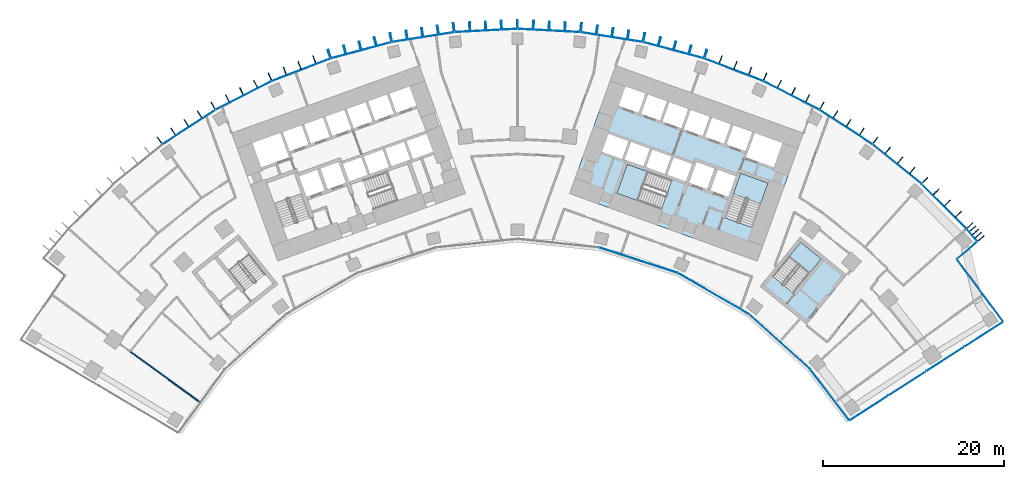
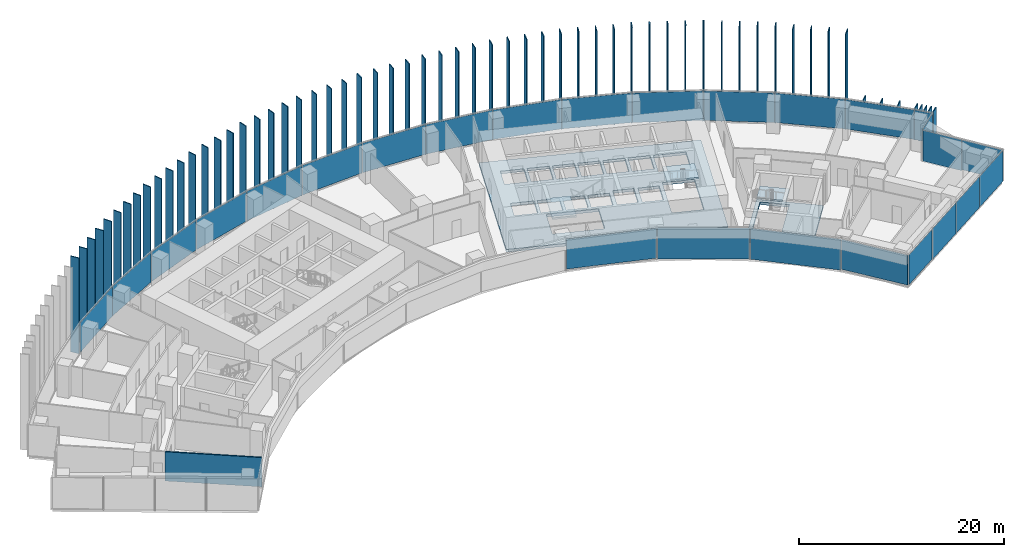
# One storey, part 17 of 25: 87 plates, 5 slabs, 1 wall, 8 elements without a shape of their own.
"""IFC4 building model written with IfcOpenShell, lengths in metres."""

from ifc_helpers import new_model, si_unit, direction, frame, frame_2d, origin, origin_2d, place, context, subcontext, project, spatial, polyline, rectangle, outline, extrude, material, layer, layer_set, type_object, element, aggregate, save


model = new_model("IFC4")

# Units and contexts
model_context = context("Model", 3, precision=1e-05, world=origin(), true_north=direction((0.0, 1.0)))
body_context = subcontext(model_context, "Body", "Model", "MODEL_VIEW")
ifc_project = project(units=[si_unit("LENGTHUNIT", "METRE"), si_unit("AREAUNIT", "SQUARE_METRE"), si_unit("VOLUMEUNIT", "CUBIC_METRE"), si_unit("PLANEANGLEUNIT", "RADIAN"), si_unit("MASSUNIT", "GRAM", prefix="KILO")], contexts=[model_context])

# Site, building, storey
site_placement = place(None, origin())
site = spatial("IfcSite", under=ifc_project, at=site_placement, CompositionType="ELEMENT")
building_placement = place(site_placement, origin())
building = spatial("IfcBuilding", under=site, at=building_placement, Name="Stone Belt Terrace Tower", CompositionType="ELEMENT")
storey_placement = place(building_placement, frame((0.0, 0.0, 52.800048828125)))
storey = spatial("IfcBuildingStorey", under=building, at=storey_placement, Name="L12", CompositionType="ELEMENT", Elevation=52.800048828125)

# Curtain wall, plates
ifc_material_1 = material(Name="Aluminium 6063-T6 anodised frame", Category="aluminium")
ifc_layer_1 = layer(ifc_material_1, 0.14990234375)
ifc_layer_set_1 = layer_set([ifc_layer_1], Name="CW-A unitised convex-face curtain wall")
curtain_wall_type_1 = type_object("IfcCurtainWallType", Name="CW-A unitised convex-face curtain wall", PredefinedType="NOTDEFINED", material=ifc_layer_set_1)
curtain_wall_1_placement = place(storey_placement, origin())
curtain_wall_1 = element("IfcCurtainWall", 1, at=curtain_wall_1_placement, inside=storey, type_object=curtain_wall_type_1, Name="CW-A convex face L12", PredefinedType="NOTDEFINED")
ifc_material_2 = material(Name="Clear double glazed unit")
ifc_layer_2 = layer(ifc_material_2, 0.031982421875)
ifc_layer_set_2 = layer_set([ifc_layer_2], Name="CW-A glass panel 32")
plate_type_1 = type_object("IfcPlateType", Name="CW-A glass panel 32", PredefinedType="CURTAIN_PANEL", material=ifc_layer_set_2)
plate_1_placement = place(storey_placement, frame((50.075439453125, 43.862060546875, 0.139892578125), z_axis=(0.0, 0.0, 1.0), x_axis=(-0.659073728338, 0.752078334095, 0.0)))
plate_1 = element("IfcPlate", 2, at=plate_1_placement, type_object=plate_type_1, Name="CW-A panel 1.1", PredefinedType="CURTAIN_PANEL", context=body_context, shape_type="SweptSolid", body=[
    extrude(rectangle(XDim=1.760498046875, YDim=0.031982421875, at=origin_2d()), origin(), (0.0, 0.0, 1.0), 3.52001953125),
])
plate_2_placement = place(storey_placement, frame((47.01123046875, 47.01123046875, 0.139892578125), z_axis=(0.0, 0.0, 1.0), x_axis=(-0.707106781187, 0.707106781187, 0.0)))
plate_2 = element("IfcPlate", 3, at=plate_2_placement, type_object=plate_type_1, Name="CW-A panel 2.1", PredefinedType="CURTAIN_PANEL", context=body_context, shape_type="SweptSolid", body=[
    extrude(rectangle(XDim=6.900634765625, YDim=0.031982421875, at=origin_2d()), origin(), (0.0, 0.0, 1.0), 3.52001953125),
])
plate_3_placement = place(storey_placement, frame((41.839599609375, 51.667724609375, 0.139892578125), z_axis=(0.0, 0.0, 1.0), x_axis=(-0.777145961457, 0.62932039105, 0.0)))
plate_3 = element("IfcPlate", 4, at=plate_3_placement, type_object=plate_type_1, Name="CW-A panel 3.1", PredefinedType="CURTAIN_PANEL", context=body_context, shape_type="SweptSolid", body=[
    extrude(rectangle(XDim=6.90087890625, YDim=0.031982421875, at=origin_2d()), origin(), (0.0, 0.0, 1.0), 3.52001953125),
])
plate_4_placement = place(storey_placement, frame((36.209716796875, 55.758056640625, 0.139892578125), z_axis=(0.0, 0.0, 1.0), x_axis=(-0.838670567945, 0.544639035015, 0.0)))
plate_4 = element("IfcPlate", 5, at=plate_4_placement, type_object=plate_type_1, Name="CW-A panel 4.1", PredefinedType="CURTAIN_PANEL", context=body_context, shape_type="SweptSolid", body=[
    extrude(rectangle(XDim=6.90087890625, YDim=0.031982421875, at=origin_2d()), origin(), (0.0, 0.0, 1.0), 3.52001953125),
])
plate_5_placement = place(storey_placement, frame((30.18310546875, 59.237548828125, 0.139892578125), z_axis=(0.0, 0.0, 1.0), x_axis=(-0.891006524188, 0.45399049974, 0.0)))
plate_5 = element("IfcPlate", 6, at=plate_5_placement, type_object=plate_type_1, Name="CW-A panel 5.1", PredefinedType="CURTAIN_PANEL", context=body_context, shape_type="SweptSolid", body=[
    extrude(rectangle(XDim=6.90087890625, YDim=0.031982421875, at=origin_2d()), origin(), (0.0, 0.0, 1.0), 3.52001953125),
])
plate_6_placement = place(storey_placement, frame((23.82568359375, 62.068115234375, 0.139892578125), z_axis=(0.0, 0.0, 1.0), x_axis=(-0.933580426497, 0.358367949545, 0.0)))
plate_6 = element("IfcPlate", 7, at=plate_6_placement, type_object=plate_type_1, Name="CW-A panel 6.1", PredefinedType="CURTAIN_PANEL", context=body_context, shape_type="SweptSolid", body=[
    extrude(rectangle(XDim=6.90087890625, YDim=0.031982421875, at=origin_2d()), origin(), (0.0, 0.0, 1.0), 3.52001953125),
])
plate_7_placement = place(storey_placement, frame((17.207275390625, 64.218505859375, 0.139892578125), z_axis=(0.0, 0.0, 1.0), x_axis=(-0.965925826289, 0.258819045103, 0.0)))
plate_7 = element("IfcPlate", 8, at=plate_7_placement, type_object=plate_type_1, Name="CW-A panel 7.1", PredefinedType="CURTAIN_PANEL", context=body_context, shape_type="SweptSolid", body=[
    extrude(rectangle(XDim=6.90087890625, YDim=0.031982421875, at=origin_2d()), origin(), (0.0, 0.0, 1.0), 3.52001953125),
])
plate_8_placement = place(storey_placement, frame((10.400390625, 65.665283203125, 0.139892578125), z_axis=(0.0, 0.0, 1.0), x_axis=(-0.987688340595, 0.15643446504, 0.0)))
plate_8 = element("IfcPlate", 9, at=plate_8_placement, type_object=plate_type_1, Name="CW-A panel 8.1", PredefinedType="CURTAIN_PANEL", context=body_context, shape_type="SweptSolid", body=[
    extrude(rectangle(XDim=6.90087890625, YDim=0.031982421875, at=origin_2d()), origin(), (0.0, 0.0, 1.0), 3.52001953125),
])
plate_9_placement = place(storey_placement, frame((3.4794921875, 66.392822265625, 0.139892578125), z_axis=(0.0, 0.0, 1.0), x_axis=(-0.998629534755, 0.052335956243, 0.0)))
plate_9 = element("IfcPlate", 10, at=plate_9_placement, type_object=plate_type_1, Name="CW-A panel 9.1", PredefinedType="CURTAIN_PANEL", context=body_context, shape_type="SweptSolid", body=[
    extrude(rectangle(XDim=6.90087890625, YDim=0.031982421875, at=origin_2d()), origin(), (0.0, 0.0, 1.0), 3.52001953125),
])
plate_10_placement = place(storey_placement, frame((-3.4794921875, 66.392822265625, 0.139892578125), z_axis=(0.0, 0.0, 1.0), x_axis=(-0.998629534755, -0.052335956243, 0.0)))
plate_10 = element("IfcPlate", 11, at=plate_10_placement, type_object=plate_type_1, Name="CW-A panel 10.1", PredefinedType="CURTAIN_PANEL", context=body_context, shape_type="SweptSolid", body=[
    extrude(rectangle(XDim=6.90087890625, YDim=0.031982421875, at=origin_2d()), origin(), (0.0, 0.0, 1.0), 3.52001953125),
])
plate_11_placement = place(storey_placement, frame((-10.400390625, 65.665283203125, 0.139892578125), z_axis=(0.0, 0.0, 1.0), x_axis=(-0.987688340595, -0.15643446504, 0.0)))
plate_11 = element("IfcPlate", 12, at=plate_11_placement, type_object=plate_type_1, Name="CW-A panel 11.1", PredefinedType="CURTAIN_PANEL", context=body_context, shape_type="SweptSolid", body=[
    extrude(rectangle(XDim=6.90087890625, YDim=0.031982421875, at=origin_2d()), origin(), (0.0, 0.0, 1.0), 3.52001953125),
])
plate_12_placement = place(storey_placement, frame((-17.207275390625, 64.218505859375, 0.139892578125), z_axis=(0.0, 0.0, 1.0), x_axis=(-0.965925826289, -0.258819045103, 0.0)))
plate_12 = element("IfcPlate", 13, at=plate_12_placement, type_object=plate_type_1, Name="CW-A panel 12.1", PredefinedType="CURTAIN_PANEL", context=body_context, shape_type="SweptSolid", body=[
    extrude(rectangle(XDim=6.90087890625, YDim=0.031982421875, at=origin_2d()), origin(), (0.0, 0.0, 1.0), 3.52001953125),
])
plate_13_placement = place(storey_placement, frame((-23.82568359375, 62.068115234375, 0.139892578125), z_axis=(0.0, 0.0, 1.0), x_axis=(-0.933580426497, -0.358367949545, 0.0)))
plate_13 = element("IfcPlate", 14, at=plate_13_placement, type_object=plate_type_1, Name="CW-A panel 13.1", PredefinedType="CURTAIN_PANEL", context=body_context, shape_type="SweptSolid", body=[
    extrude(rectangle(XDim=6.90087890625, YDim=0.031982421875, at=origin_2d()), origin(), (0.0, 0.0, 1.0), 3.52001953125),
])
plate_14_placement = place(storey_placement, frame((-30.18310546875, 59.237548828125, 0.139892578125), z_axis=(0.0, 0.0, 1.0), x_axis=(-0.891006524188, -0.45399049974, 0.0)))
plate_14 = element("IfcPlate", 15, at=plate_14_placement, type_object=plate_type_1, Name="CW-A panel 14.1", PredefinedType="CURTAIN_PANEL", context=body_context, shape_type="SweptSolid", body=[
    extrude(rectangle(XDim=6.90087890625, YDim=0.031982421875, at=origin_2d()), origin(), (0.0, 0.0, 1.0), 3.52001953125),
])
plate_15_placement = place(storey_placement, frame((-36.209716796875, 55.758056640625, 0.139892578125), z_axis=(0.0, 0.0, 1.0), x_axis=(-0.838670567945, -0.544639035015, 0.0)))
plate_15 = element("IfcPlate", 16, at=plate_15_placement, type_object=plate_type_1, Name="CW-A panel 15.1", PredefinedType="CURTAIN_PANEL", context=body_context, shape_type="SweptSolid", body=[
    extrude(rectangle(XDim=6.90087890625, YDim=0.031982421875, at=origin_2d()), origin(), (0.0, 0.0, 1.0), 3.52001953125),
])
aggregate(curtain_wall_1, [plate_1, plate_2, plate_3, plate_4, plate_5, plate_6, plate_7, plate_8, plate_9, plate_10, plate_11, plate_12, plate_13, plate_14, plate_15])

ifc_layer_3 = layer(ifc_material_1, 0.14990234375)
ifc_layer_set_3 = layer_set([ifc_layer_3], Name="CW-B unitised concave-face curtain wall")
curtain_wall_type_2 = type_object("IfcCurtainWallType", Name="CW-B unitised concave-face curtain wall", PredefinedType="NOTDEFINED", material=ifc_layer_set_3)
curtain_wall_2_placement = place(storey_placement, origin())
curtain_wall_2 = element("IfcCurtainWall", 17, at=curtain_wall_2_placement, inside=storey, type_object=curtain_wall_type_2, Name="CW-B concave face L12", PredefinedType="NOTDEFINED")
ifc_layer_4 = layer(ifc_material_2, 0.030029296875)
ifc_layer_set_4 = layer_set([ifc_layer_4], Name="CW-B glass panel 30")
plate_type_2 = type_object("IfcPlateType", Name="CW-B glass panel 30", PredefinedType="CURTAIN_PANEL", material=ifc_layer_set_4)
plate_16_placement = place(storey_placement, frame((13.345458984375, 41.072998046875, 0.119873046875), z_axis=(0.0, 0.0, 1.0), x_axis=(0.951056516295, -0.309016994375, 0.0)))
plate_16 = element("IfcPlate", 18, at=plate_16_placement, type_object=plate_type_2, Name="CW-B panel 7.1", PredefinedType="CURTAIN_PANEL", context=body_context, shape_type="SweptSolid", body=[
    extrude(rectangle(XDim=9.0126953125, YDim=0.030029296875, at=origin_2d()), origin(), (0.0, 0.0, 1.0), 3.56005859375),
])
plate_17_placement = place(storey_placement, frame((21.59326171875, 37.40087890625, 0.0), z_axis=(0.0, 0.0, 1.0), x_axis=(0.866025403784, -0.5, 0.0)))
plate_17 = element("IfcPlate", 19, at=plate_17_placement, type_object=plate_type_2, Name="CW-B panel 8.1", PredefinedType="CURTAIN_PANEL", context=body_context, shape_type="SweptSolid", body=[
    extrude(rectangle(XDim=9.0126953125, YDim=0.030029296875, at=origin_2d()), origin(), (0.0, 0.0, 1.0), 3.679931640625),
])
plate_18_placement = place(storey_placement, frame((28.898193359375, 32.093505859375, 0.0), z_axis=(0.0, 0.0, 1.0), x_axis=(0.743144825477, -0.669130606359, 0.0)))
plate_18 = element("IfcPlate", 20, at=plate_18_placement, type_object=plate_type_2, Name="CW-B panel 9.1", PredefinedType="CURTAIN_PANEL", context=body_context, shape_type="SweptSolid", body=[
    extrude(rectangle(XDim=9.0146484375, YDim=0.030029296875, at=origin_2d()), origin(), (0.0, 0.0, 1.0), 3.679931640625),
])
plate_19_placement = place(storey_placement, frame((34.41748046875, 26.244140625, 0.119873046875), z_axis=(0.0, 0.0, 1.0), x_axis=(0.606711628938, -0.79492200832, 0.0)))
plate_19 = element("IfcPlate", 21, at=plate_19_placement, type_object=plate_type_2, Name="CW-B panel 10.1", PredefinedType="CURTAIN_PANEL", context=body_context, shape_type="SweptSolid", body=[
    extrude(rectangle(XDim=7.010986328125, YDim=0.030029296875, at=origin_2d()), origin(), (0.0, 0.0, 1.0), 3.56005859375),
])
aggregate(curtain_wall_2, [plate_16, plate_17, plate_18, plate_19])

ifc_layer_5 = layer(ifc_material_1, 0.14990234375)
ifc_layer_set_5 = layer_set([ifc_layer_5], Name="CW-C stick curtain wall, horn ends and notches")
curtain_wall_type_3 = type_object("IfcCurtainWallType", Name="CW-C stick curtain wall, horn ends and notches", PredefinedType="NOTDEFINED", material=ifc_layer_set_5)
curtain_wall_3_placement = place(storey_placement, origin())
curtain_wall_3 = element("IfcCurtainWall", 22, at=curtain_wall_3_placement, inside=storey, type_object=curtain_wall_type_3, Name="CW-C end face L12", PredefinedType="NOTDEFINED")
ifc_layer_6 = layer(ifc_material_2, 0.028076171875)
ifc_layer_set_6 = layer_set([ifc_layer_6], Name="CW-C glass panel 28")
plate_type_3 = type_object("IfcPlateType", Name="CW-C glass panel 28", PredefinedType="CURTAIN_PANEL", material=ifc_layer_set_6)
plate_20_placement = place(storey_placement, frame((38.737060546875, 24.78369140625, 0.119873046875), z_axis=(0.0, 0.0, 1.0), x_axis=(0.841470984807, 0.540302305869, 0.0)))
plate_20 = element("IfcPlate", 23, at=plate_20_placement, type_object=plate_type_3, Name="CW-C panel 1.1", PredefinedType="CURTAIN_PANEL", context=body_context, shape_type="SweptSolid", body=[
    extrude(rectangle(XDim=4.96630859375, YDim=0.028076171875, at=origin_2d()), origin(), (0.0, 0.0, 1.0), 3.56005859375),
])
plate_21_placement = place(storey_placement, frame((42.95556640625, 27.4921875, 0.0), z_axis=(0.0, 0.0, 1.0), x_axis=(0.841470984807, 0.540302305869, 0.0)))
plate_21 = element("IfcPlate", 24, at=plate_21_placement, type_object=plate_type_3, Name="CW-C panel 2.1", PredefinedType="CURTAIN_PANEL", context=body_context, shape_type="SweptSolid", body=[
    extrude(rectangle(XDim=4.93994140625, YDim=0.028076171875, at=origin_2d()), origin(), (0.0, 0.0, 1.0), 3.679931640625),
])
plate_22_placement = place(storey_placement, frame((47.162841796875, 30.19384765625, 0.0), z_axis=(0.0, 0.0, 1.0), x_axis=(0.841470984807, 0.540302305869, 0.0)))
plate_22 = element("IfcPlate", 25, at=plate_22_placement, type_object=plate_type_3, Name="CW-C panel 3.1", PredefinedType="CURTAIN_PANEL", context=body_context, shape_type="SweptSolid", body=[
    extrude(rectangle(XDim=4.93994140625, YDim=0.028076171875, at=origin_2d()), origin(), (0.0, 0.0, 1.0), 3.679931640625),
])
plate_23_placement = place(storey_placement, frame((51.385009765625, 32.90478515625, 0.0), z_axis=(0.0, 0.0, 1.0), x_axis=(0.841470984807, 0.540302305869, 0.0)))
plate_23 = element("IfcPlate", 26, at=plate_23_placement, type_object=plate_type_3, Name="CW-C panel 4.1", PredefinedType="CURTAIN_PANEL", context=body_context, shape_type="SweptSolid", body=[
    extrude(rectangle(XDim=4.974853515625, YDim=0.028076171875, at=origin_2d()), origin(), (0.0, 0.0, 1.0), 3.679931640625),
])
aggregate(curtain_wall_3, [plate_20, plate_21, plate_22, plate_23])

curtain_wall_4_placement = place(storey_placement, origin())
curtain_wall_4 = element("IfcCurtainWall", 27, at=curtain_wall_4_placement, inside=storey, type_object=curtain_wall_type_3, Name="CW-C notch face L12", PredefinedType="NOTDEFINED")
plate_24_placement = place(storey_placement, frame((52.224609375, 36.063720703125, 0.119873046875), z_axis=(0.0, 0.0, 1.0), x_axis=(-0.59596392258, 0.803011209749, 0.0)))
plate_24 = element("IfcPlate", 28, at=plate_24_placement, type_object=plate_type_3, Name="CW-C panel 1.1", PredefinedType="CURTAIN_PANEL", context=body_context, shape_type="SweptSolid", body=[
    extrude(rectangle(XDim=4.268798828125, YDim=0.028076171875, at=origin_2d()), origin(), (0.0, 0.0, 1.0), 3.56005859375),
])
plate_25_placement = place(storey_placement, frame((49.68896484375, 39.480224609375, 0.0), z_axis=(0.0, 0.0, 1.0), x_axis=(-0.59596392258, 0.803011209749, 0.0)))
plate_25 = element("IfcPlate", 29, at=plate_25_placement, type_object=plate_type_3, Name="CW-C panel 2.1", PredefinedType="CURTAIN_PANEL", context=body_context, shape_type="SweptSolid", body=[
    extrude(rectangle(XDim=4.12060546875, YDim=0.028076171875, at=origin_2d()), origin(), (0.0, 0.0, 1.0), 3.679931640625),
])
aggregate(curtain_wall_4, [plate_24, plate_25])

# Curtain wall, plate
curtain_wall_5_placement = place(storey_placement, origin())
curtain_wall_5 = element("IfcCurtainWall", 30, at=curtain_wall_5_placement, inside=storey, type_object=curtain_wall_type_3, Name="CW-C notch face L12", PredefinedType="NOTDEFINED")
plate_26_placement = place(storey_placement, frame((49.560546875, 42.168212890625, 0.119873046875), z_axis=(0.0, 0.0, 1.0), x_axis=(0.760875755373, 0.648897591986, 0.0)))
plate_26 = element("IfcPlate", 31, at=plate_26_placement, type_object=plate_type_3, Name="CW-C panel 1.1", PredefinedType="CURTAIN_PANEL", context=body_context, shape_type="SweptSolid", body=[
    extrude(rectangle(XDim=2.8583984375, YDim=0.028076171875, at=origin_2d()), origin(), (0.0, 0.0, 1.0), 3.56005859375),
])
aggregate(curtain_wall_5, [plate_26])

# Slabs
ifc_material_3 = material(Name="Concrete B40", Category="concrete")
ifc_layer_7 = layer(ifc_material_3, 0.320068359375)
ifc_layer_set_7 = layer_set([ifc_layer_7], Name="Core floor slab 320")
slab_type_1 = type_object("IfcSlabType", Name="Core floor slab 320", PredefinedType="FLOOR", material=ifc_layer_set_7)
slab_1_placement = place(storey_placement, frame((0.0, 0.0, -0.320068359375)))
element("IfcSlab", 32, at=slab_1_placement, inside=storey, type_object=slab_type_1, Name="Core B floor L12", PredefinedType="FLOOR", context=body_context, shape_type="SweptSolid", body=[
    extrude(outline(polyline([(26.43505859375, 40.968994140625), (31.513916015625, 55.0830078125), (10.81396484375, 62.531982421875), (5.735107421875, 48.4189453125), (26.43505859375, 40.968994140625)]), holes=[polyline([(12.10595703125, 51.652099609375), (16.998046875, 49.89208984375), (15.846923828125, 46.69189453125), (10.955078125, 48.452880859375), (12.10595703125, 51.652099609375)]), polyline([(19.239990234375, 51.68896484375), (18.5458984375, 49.760009765625), (16.52294921875, 50.488037109375), (17.217041015625, 52.4169921875), (19.239990234375, 51.68896484375)]), polyline([(16.239990234375, 50.589111328125), (14.169921875, 51.333984375), (14.864013671875, 53.262939453125), (16.93408203125, 52.51806640625), (16.239990234375, 50.589111328125)]), polyline([(14.58203125, 53.364990234375), (13.887939453125, 51.43603515625), (11.864990234375, 52.1640625), (11.847900390625, 52.116943359375), (11.801025390625, 52.134033203125), (12.511962890625, 54.110107421875), (14.58203125, 53.364990234375)]), polyline([(9.30810546875, 53.031005859375), (10.01904296875, 55.007080078125), (12.22998046875, 54.2109375), (11.51904296875, 52.235107421875), (9.30810546875, 53.031005859375)]), polyline([(16.743896484375, 58.485107421875), (18.81396484375, 57.739990234375), (18.052001953125, 55.623046875), (15.98193359375, 56.367919921875), (16.743896484375, 58.485107421875)]), polyline([(14.39111328125, 59.33203125), (16.4609375, 58.5869140625), (15.699951171875, 56.469970703125), (13.6298828125, 57.215087890625), (14.39111328125, 59.33203125)]), polyline([(11.89794921875, 60.22900390625), (14.10888671875, 59.43408203125), (13.346923828125, 57.31591796875), (11.135986328125, 58.112060546875), (11.89794921875, 60.22900390625)]), polyline([(25.85888671875, 44.68408203125), (22.847900390625, 45.76806640625), (24.60791015625, 50.659912109375), (27.618896484375, 49.575927734375), (25.85888671875, 44.68408203125)]), polyline([(21.27392578125, 48.778076171875), (22.0869140625, 51.035888671875), (24.06298828125, 50.324951171875), (23.25, 48.06689453125), (21.27392578125, 48.778076171875)]), polyline([(18.922119140625, 49.6240234375), (19.735107421875, 51.883056640625), (21.7109375, 51.1708984375), (20.89794921875, 48.9130859375), (18.922119140625, 49.6240234375)]), polyline([(29.2109375, 53.9990234375), (28.24609375, 51.31689453125), (25.18798828125, 52.41796875), (26.153076171875, 55.09912109375), (29.2109375, 53.9990234375)]), polyline([(23.801025390625, 55.946044921875), (25.87109375, 55.200927734375), (25.10888671875, 53.083984375), (23.0390625, 53.8291015625), (23.801025390625, 55.946044921875)]), polyline([(21.447998046875, 56.7919921875), (23.51806640625, 56.047119140625), (22.756103515625, 53.929931640625), (20.68603515625, 54.675048828125), (21.447998046875, 56.7919921875)]), polyline([(19.095947265625, 57.638916015625), (21.166015625, 56.89404296875), (20.404052734375, 54.777099609375), (18.333984375, 55.52197265625), (19.095947265625, 57.638916015625)])]), origin(), (0.0, 0.0, 1.0), 0.320068359375),
])
slab_2_placement = place(storey_placement, frame((0.0, 0.0, -0.320068359375)))
element("IfcSlab", 33, at=slab_2_placement, inside=storey, type_object=slab_type_1, Name="Exit stair ST3B floor L12", PredefinedType="FLOOR", context=body_context, shape_type="SweptSolid", body=[
    extrude(outline(polyline([(26.741943359375, 38.18408203125), (31.866943359375, 34.02392578125), (36.278076171875, 39.458984375), (31.154052734375, 43.618896484375), (26.741943359375, 38.18408203125)]), holes=[polyline([(30.407958984375, 37.462890625), (28.156005859375, 39.291015625), (31.2119140625, 43.055908203125), (33.464111328125, 41.22802734375), (30.407958984375, 37.462890625)])]), origin(), (0.0, 0.0, 1.0), 0.320068359375),
])

# Stair, slab
stair_type = type_object("IfcStairType", Name="Exit stair 1500", PredefinedType="HALF_TURN_STAIR", material=ifc_material_3)
stair_1_placement = place(storey_placement, origin())
stair_1 = element("IfcStair", 34, at=stair_1_placement, inside=storey, type_object=stair_type, Name="L12 Exit stair 1 core B", PredefinedType="HALF_TURN_STAIR")
ifc_layer_8 = layer(ifc_material_3, 0.199951171875)
ifc_layer_set_8 = layer_set([ifc_layer_8], Name="Stair landing 200")
slab_type_2 = type_object("IfcSlabType", Name="Stair landing 200", PredefinedType="LANDING", material=ifc_layer_set_8)
slab_3_placement = place(storey_placement, frame((0.0, 0.0, 1.699951171875)))
slab_3 = element("IfcSlab", 35, at=slab_3_placement, type_object=slab_type_2, Name="ST1B landing 1", PredefinedType="LANDING", context=body_context, shape_type="SweptSolid", body=[
    extrude(outline(polyline([(26.806396484375, 47.3173828125), (27.619384765625, 49.576171875), (24.6083984375, 50.659912109375), (23.79541015625, 48.40087890625), (26.806396484375, 47.3173828125)])), origin(), (0.0, 0.0, 1.0), 0.199951171875),
])
aggregate(stair_1, [slab_3])

stair_2_placement = place(storey_placement, origin())
stair_2 = element("IfcStair", 36, at=stair_2_placement, inside=storey, type_object=stair_type, Name="L12 Exit stair 2 core B", PredefinedType="HALF_TURN_STAIR")
slab_4_placement = place(storey_placement, frame((0.0, 0.0, 1.699951171875)))
slab_4 = element("IfcSlab", 37, at=slab_4_placement, type_object=slab_type_2, Name="ST2B landing 1", PredefinedType="LANDING", context=body_context, shape_type="SweptSolid", body=[
    extrude(outline(polyline([(14.36474609375, 50.839111328125), (12.10595703125, 51.652099609375), (10.95458984375, 48.453125), (13.213623046875, 47.64013671875), (14.36474609375, 50.839111328125)])), origin(), (0.0, 0.0, 1.0), 0.199951171875),
])
aggregate(stair_2, [slab_4])

stair_3_placement = place(storey_placement, origin())
stair_3 = element("IfcStair", 38, at=stair_3_placement, inside=storey, type_object=stair_type, Name="L12 Exit stair 3B", PredefinedType="HALF_TURN_STAIR")
slab_5_placement = place(storey_placement, frame((0.0, 0.0, 1.699951171875)))
slab_5 = element("IfcSlab", 39, at=slab_5_placement, type_object=slab_type_2, Name="ST3B landing 1", PredefinedType="LANDING", context=body_context, shape_type="SweptSolid", body=[
    extrude(outline(polyline([(32.17138671875, 39.635986328125), (33.4638671875, 41.228271484375), (31.21240234375, 43.055908203125), (29.919921875, 41.463623046875), (32.17138671875, 39.635986328125)])), origin(), (0.0, 0.0, 1.0), 0.199951171875),
])
aggregate(stair_3, [slab_5])

# Plates
ifc_material_4 = material(Name="Terracotta coloured glazed ceramic", Category="masonry")
ifc_layer_9 = layer(ifc_material_4, 0.10009765625)
ifc_layer_set_9 = layer_set([ifc_layer_9], Name="Terracotta fin 100 x 900")
plate_type_4 = type_object("IfcPlateType", Name="Terracotta fin 100 x 900", PredefinedType="SHEET", material=ifc_layer_set_9)
for number, where, z_axis, x_axis, name in (
    (40, (51.099609375, 43.489990234375, 0.0), (0.0, 0.0, 1.0), (0.752078334095, 0.659073728338, 0.0), "FIN L12 1.1"),
    (41, (50.7919921875, 43.841064453125, 0.0), (0.0, 0.0, 1.0), (0.752078334095, 0.659073728338, 0.0), "FIN L12 1.2"),
    (42, (50.484130859375, 44.192138671875, 0.0), (0.0, 0.0, 1.0), (0.752078334095, 0.659073728338, 0.0), "FIN L12 1.3"),
    (43, (50.176513671875, 44.54345703125, 0.0), (0.0, 0.0, 1.0), (0.752078334095, 0.659073728338, 0.0), "FIN L12 1.4"),
    (44, (49.857177734375, 44.9072265625, 0.0), (0.0, 0.0, 1.0), (0.729987735312, 0.683460244853, 0.0), "FIN L12 2.1"),
    (45, (48.613525390625, 46.1513671875, 0.0), (0.0, 0.0, 1.0), (0.707106781187, 0.707106781187, 0.0), "FIN L12 2.2"),
    (46, (47.3818359375, 47.383056640625, 0.0), (0.0, 0.0, 1.0), (0.707106781187, 0.707106781187, 0.0), "FIN L12 2.3"),
    (47, (46.150390625, 48.614501953125, 0.0), (0.0, 0.0, 1.0), (0.707106781187, 0.707106781187, 0.0), "FIN L12 2.4"),
):
    element("IfcPlate", number, at=place(storey_placement, frame(where, z_axis=z_axis, x_axis=x_axis)), inside=storey, type_object=plate_type_4, Name=name, PredefinedType="SHEET", context=body_context, shape_type="SweptSolid", body=[
        extrude(rectangle(XDim=0.89990234375, YDim=0.10009765625, at=origin_2d()), origin(), (0.0, 0.0, 1.0), 3.800048828125),
    ])
for number, where, z_axis, x_axis, name in (
    (48, (44.898681640625, 49.864990234375, 0.0), (0.0, 0.0, 1.0), (0.669130606359, 0.743144825477, 0.0), "FIN L12 3.1"),
    (49, (43.52392578125, 50.979248046875, 0.0), (0.0, 0.0, 1.0), (0.62932039105, 0.777145961457, 0.0), "FIN L12 3.2"),
    (50, (42.170166015625, 52.07568359375, 0.0), (0.0, 0.0, 1.0), (0.62932039105, 0.777145961457, 0.0), "FIN L12 3.3"),
    (51, (40.816162109375, 53.172119140625, 0.0), (0.0, 0.0, 1.0), (0.62932039105, 0.777145961457, 0.0), "FIN L12 3.4"),
    (52, (39.4404296875, 54.28515625, 0.0), (0.0, 0.0, 1.0), (0.587785252292, 0.809016994375, 0.0), "FIN L12 4.1"),
    (53, (37.956787109375, 55.24951171875, 0.0), (0.0, 0.0, 1.0), (0.544639035015, 0.838670567945, 0.0), "FIN L12 4.2"),
    (54, (36.49560546875, 56.1982421875, 0.0), (0.0, 0.0, 1.0), (0.544639035015, 0.838670567945, 0.0), "FIN L12 4.3"),
    (55, (35.03466796875, 57.147216796875, 0.0), (0.0, 0.0, 1.0), (0.544639035015, 0.838670567945, 0.0), "FIN L12 4.4"),
    (56, (33.550048828125, 58.1103515625, 0.0), (0.0, 0.0, 1.0), (0.5, 0.866025403784, 0.0), "FIN L12 5.1"),
    (57, (31.9736328125, 58.914306640625, 0.0), (0.0, 0.0, 1.0), (0.45399049974, 0.891006524188, 0.0), "FIN L12 5.2"),
    (58, (30.42138671875, 59.705322265625, 0.0), (0.0, 0.0, 1.0), (0.45399049974, 0.891006524188, 0.0), "FIN L12 5.3"),
    (59, (28.869140625, 60.496337890625, 0.0), (0.0, 0.0, 1.0), (0.45399049974, 0.891006524188, 0.0), "FIN L12 5.4"),
    (60, (27.2919921875, 61.299072265625, 0.0), (0.0, 0.0, 1.0), (0.406736643076, 0.913545457643, 0.0), "FIN L12 6.1"),
    (61, (25.64013671875, 61.933837890625, 0.0), (0.0, 0.0, 1.0), (0.358367949545, 0.933580426497, 0.0), "FIN L12 6.2"),
    (62, (24.013916015625, 62.55810546875, 0.0), (0.0, 0.0, 1.0), (0.358367949545, 0.933580426497, 0.0), "FIN L12 6.3"),
    (63, (22.387451171875, 63.182373046875, 0.0), (0.0, 0.0, 1.0), (0.358367949545, 0.933580426497, 0.0), "FIN L12 6.4"),
    (64, (20.735107421875, 63.81591796875, 0.0), (0.0, 0.0, 1.0), (0.309016994375, 0.951056516295, 0.0), "FIN L12 7.1"),
    (65, (19.02587890625, 64.274658203125, 0.0), (0.0, 0.0, 1.0), (0.258819045103, 0.965925826289, 0.0), "FIN L12 7.2"),
    (66, (17.34326171875, 64.7255859375, 0.0), (0.0, 0.0, 1.0), (0.258819045103, 0.965925826289, 0.0), "FIN L12 7.3"),
    (67, (15.660400390625, 65.176513671875, 0.0), (0.0, 0.0, 1.0), (0.258819045103, 0.965925826289, 0.0), "FIN L12 7.4"),
    (68, (13.950927734375, 65.6337890625, 0.0), (0.0, 0.0, 1.0), (0.207911690818, 0.978147600734, 0.0), "FIN L12 8.1"),
    (69, (12.203125, 65.911376953125, 0.0), (0.0, 0.0, 1.0), (0.15643446504, 0.987688340595, 0.0), "FIN L12 8.2"),
    (70, (10.482421875, 66.183837890625, 0.0), (0.0, 0.0, 1.0), (0.15643446504, 0.987688340595, 0.0), "FIN L12 8.3"),
    (71, (8.76171875, 66.456298828125, 0.0), (0.0, 0.0, 1.0), (0.15643446504, 0.987688340595, 0.0), "FIN L12 8.4"),
    (72, (7.013916015625, 66.732421875, 0.0), (0.0, 0.0, 1.0), (0.104528463268, 0.994521895368, 0.0), "FIN L12 9.1"),
    (73, (5.246826171875, 66.825927734375, 0.0), (0.0, 0.0, 1.0), (0.052335956243, 0.998629534755, 0.0), "FIN L12 9.2"),
    (74, (3.507080078125, 66.9169921875, 0.0), (0.0, 0.0, 1.0), (0.052335956243, 0.998629534755, 0.0), "FIN L12 9.3"),
    (75, (1.767333984375, 67.00830078125, 0.0), (0.0, 0.0, 1.0), (0.052335956243, 0.998629534755, 0.0), "FIN L12 9.4"),
    (76, (0.0, 67.10009765625, 0.0), (0.0, 0.0, 1.0), (0.0, 1.0, 0.0), "FIN L12 10.1"),
    (77, (-1.767333984375, 67.00830078125, 0.0), (0.0, 0.0, 1.0), (-0.052335956243, 0.998629534755, 0.0), "FIN L12 10.2"),
    (78, (-3.507080078125, 66.9169921875, 0.0), (0.0, 0.0, 1.0), (-0.052335956243, 0.998629534755, 0.0), "FIN L12 10.3"),
    (79, (-5.246826171875, 66.825927734375, 0.0), (0.0, 0.0, 1.0), (-0.052335956243, 0.998629534755, 0.0), "FIN L12 10.4"),
    (80, (-7.013916015625, 66.732421875, 0.0), (0.0, 0.0, 1.0), (-0.104528463268, 0.994521895368, 0.0), "FIN L12 11.1"),
    (81, (-8.76171875, 66.456298828125, 0.0), (0.0, 0.0, 1.0), (-0.15643446504, 0.987688340595, 0.0), "FIN L12 11.2"),
    (82, (-10.482421875, 66.183837890625, 0.0), (0.0, 0.0, 1.0), (-0.15643446504, 0.987688340595, 0.0), "FIN L12 11.3"),
    (83, (-12.203125, 65.911376953125, 0.0), (0.0, 0.0, 1.0), (-0.15643446504, 0.987688340595, 0.0), "FIN L12 11.4"),
    (84, (-13.950927734375, 65.6337890625, 0.0), (0.0, 0.0, 1.0), (-0.207911690818, 0.978147600734, 0.0), "FIN L12 12.1"),
    (85, (-15.660400390625, 65.176513671875, 0.0), (0.0, 0.0, 1.0), (-0.258819045103, 0.965925826289, 0.0), "FIN L12 12.2"),
    (86, (-17.34326171875, 64.7255859375, 0.0), (0.0, 0.0, 1.0), (-0.258819045103, 0.965925826289, 0.0), "FIN L12 12.3"),
    (87, (-19.02587890625, 64.274658203125, 0.0), (0.0, 0.0, 1.0), (-0.258819045103, 0.965925826289, 0.0), "FIN L12 12.4"),
    (88, (-20.735107421875, 63.81591796875, 0.0), (0.0, 0.0, 1.0), (-0.309016994375, 0.951056516295, 0.0), "FIN L12 13.1"),
    (89, (-22.387451171875, 63.182373046875, 0.0), (0.0, 0.0, 1.0), (-0.358367949545, 0.933580426497, 0.0), "FIN L12 13.2"),
    (90, (-24.013916015625, 62.55810546875, 0.0), (0.0, 0.0, 1.0), (-0.358367949545, 0.933580426497, 0.0), "FIN L12 13.3"),
    (91, (-25.64013671875, 61.933837890625, 0.0), (0.0, 0.0, 1.0), (-0.358367949545, 0.933580426497, 0.0), "FIN L12 13.4"),
    (92, (-27.2919921875, 61.299072265625, 0.0), (0.0, 0.0, 1.0), (-0.406736643076, 0.913545457643, 0.0), "FIN L12 14.1"),
    (93, (-28.869140625, 60.496337890625, 0.0), (0.0, 0.0, 1.0), (-0.45399049974, 0.891006524188, 0.0), "FIN L12 14.2"),
    (94, (-30.42138671875, 59.705322265625, 0.0), (0.0, 0.0, 1.0), (-0.45399049974, 0.891006524188, 0.0), "FIN L12 14.3"),
    (95, (-31.9736328125, 58.914306640625, 0.0), (0.0, 0.0, 1.0), (-0.45399049974, 0.891006524188, 0.0), "FIN L12 14.4"),
    (96, (-33.550048828125, 58.1103515625, 0.0), (0.0, 0.0, 1.0), (-0.5, 0.866025403784, 0.0), "FIN L12 15.1"),
    (97, (-35.03466796875, 57.147216796875, 0.0), (0.0, 0.0, 1.0), (-0.544639035015, 0.838670567945, 0.0), "FIN L12 15.2"),
    (98, (-36.49560546875, 56.1982421875, 0.0), (0.0, 0.0, 1.0), (-0.544639035015, 0.838670567945, 0.0), "FIN L12 15.3"),
    (99, (-37.956787109375, 55.24951171875, 0.0), (0.0, 0.0, 1.0), (-0.544639035015, 0.838670567945, 0.0), "FIN L12 15.4"),
    (100, (-39.4404296875, 54.28515625, 0.0), (0.0, 0.0, 1.0), (-0.587785252292, 0.809016994375, 0.0), "FIN L12 16.1"),
):
    element("IfcPlate", number, at=place(storey_placement, frame(where, z_axis=z_axis, x_axis=x_axis)), inside=storey, type_object=plate_type_4, Name=name, PredefinedType="SHEET", context=body_context, shape_type="SweptSolid", body=[
        extrude(rectangle(XDim=0.89990234375, YDim=0.10009765625, at=origin_2d()), origin(), (0.0, 0.0, 1.0), 11.39990234375),
    ])

# Wall
ifc_material_5 = material(Name="Gypsum board partition")
ifc_layer_10 = layer(ifc_material_5, 0.14990234375)
ifc_layer_set_10 = layer_set([ifc_layer_10], Name="PARTITION 150 EI 60")
wall_type = type_object("IfcWallType", Name="PARTITION 150 EI 60", PredefinedType="PARTITIONING", material=ifc_layer_set_10)
wall_placement = place(storey_placement, frame((-42.700927734375, 31.02294921875, 0.0), z_axis=(0.0, 0.0, 1.0), x_axis=(0.809056214553, -0.587731266561, 0.0)))
element("IfcWall", 101, at=wall_placement, inside=storey, type_object=wall_type, Name="L12/wall/i035", PredefinedType="PARTITIONING", context=body_context, shape_type="SweptSolid", body=[
    extrude(rectangle(XDim=9.494384765625, YDim=0.14990234375, at=frame_2d((4.7470703125, 0.0))), origin(), (0.0, 0.0, 1.0), 3.47998046875),
])

save(model, "model.ifc")
